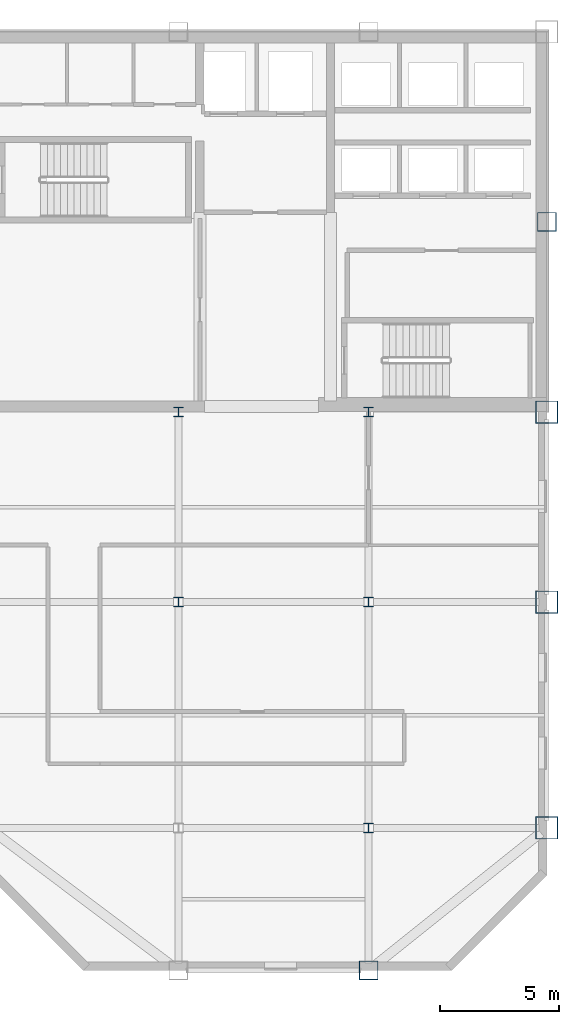
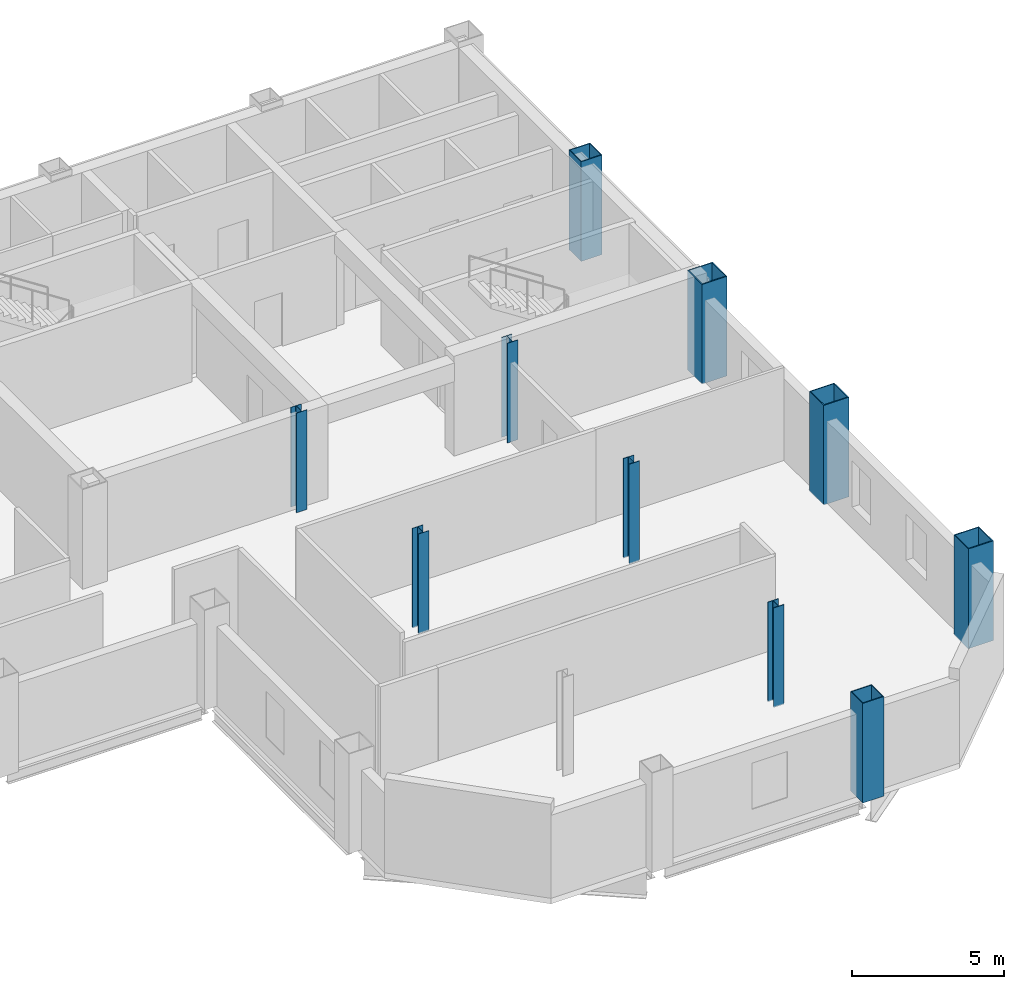
# One storey, part 2 of 10: 10 columns.
"""IFC4 building model written with IfcOpenShell, lengths in metres."""

from ifc_helpers import new_model, si_unit, direction, frame, origin, origin_2d, place, context, subcontext, project, spatial, hollow_rectangle, i_section, extrude, material, material_profile, profile_set, type_object, element, save


model = new_model("IFC4")

# Units and contexts
model_context = context("Model", 3, precision=1e-05, world=origin(), true_north=direction((0.0, 1.0)))
body_context = subcontext(model_context, "Body", "Model", "MODEL_VIEW")
ifc_project = project(units=[si_unit("LENGTHUNIT", "METRE"), si_unit("AREAUNIT", "SQUARE_METRE"), si_unit("VOLUMEUNIT", "CUBIC_METRE"), si_unit("PLANEANGLEUNIT", "RADIAN"), si_unit("MASSUNIT", "GRAM", prefix="KILO")], contexts=[model_context])

# Site, building, storey
site_placement = place(None, origin())
site = spatial("IfcSite", under=ifc_project, at=site_placement, CompositionType="ELEMENT")
building_placement = place(site_placement, origin())
building = spatial("IfcBuilding", under=site, at=building_placement, Name="Qianrong Seaharbour Tower", CompositionType="ELEMENT")
storey_placement = place(building_placement, frame((0.0, 0.0, 253.800048828125)))
storey = spatial("IfcBuildingStorey", under=building, at=storey_placement, Name="L61", CompositionType="ELEMENT", Elevation=253.800048828125)

# Columns
ifc_material = material(Name="Structural steel SN490B", Category="steel")
ifc_material_profile_1 = material_profile(ifc_material, hollow_rectangle(XDim=0.949951171875, YDim=0.949951171875, WallThickness=0.035888671875, at=origin_2d()), Name="BOX950x950x36")
ifc_profile_set_1 = profile_set([ifc_material_profile_1], Name="Structural steel SN490B")
column_type_1 = type_object("IfcColumnType", Name="COL-CFT-950", PredefinedType="COLUMN", material=ifc_profile_set_1)
for number, where, z_axis, x_axis, name in (
    (1, (64.0, 18.5, 0.0), (0.0, 0.0, 1.0), (1.0, 0.0, 0.0), "L61 Column MC-4 at G9/GD"),
    (2, (64.0, 28.0, 0.0), (0.0, 0.0, 1.0), (1.0, 0.0, 0.0), "L61 Column MC-4 at G9/GE"),
    (3, (64.0, 36.0, 0.0), (0.0, 0.0, 1.0), (1.0, 0.0, 0.0), "L61 Column MC-4 at G9/GF"),
):
    element("IfcColumn", number, at=place(storey_placement, frame(where, z_axis=z_axis, x_axis=x_axis)), inside=storey, type_object=column_type_1, Name=name, PredefinedType="COLUMN", context=body_context, shape_type="SweptSolid", body=[
        extrude(hollow_rectangle(XDim=0.949951171875, YDim=0.949951171875, WallThickness=0.035888671875, at=origin_2d()), origin(), (0.0, 0.0, 1.0), 4.0),
    ])
ifc_material_profile_2 = material_profile(ifc_material, i_section(OverallWidth=0.39990234375, OverallDepth=0.39990234375, WebThickness=0.012939453125, FlangeThickness=0.02099609375, FilletRadius=0.02197265625, at=origin_2d()), Name="H400x400x13x21")
ifc_profile_set_2 = profile_set([ifc_material_profile_2], Name="Structural steel SN490B")
column_type_2 = type_object("IfcColumnType", Name="COL-INT-H400", PredefinedType="COLUMN", material=ifc_profile_set_2)
for number, where, z_axis, x_axis, name in (
    (4, (48.5, 28.0, 0.0), (0.0, 0.0, 1.0), (1.0, 0.0, 0.0), "L61 Column IC-3 at G7/GE"),
    (5, (48.5, 36.0, 0.0), (0.0, 0.0, 1.0), (1.0, 0.0, 0.0), "L61 Column IC-3 at G7/GF"),
    (6, (56.5, 18.5, 0.0), (0.0, 0.0, 1.0), (1.0, 0.0, 0.0), "L61 Column IC-3 at G8/GD"),
    (7, (56.5, 28.0, 0.0), (0.0, 0.0, 1.0), (1.0, 0.0, 0.0), "L61 Column IC-3 at G8/GE"),
    (8, (56.5, 36.0, 0.0), (0.0, 0.0, 1.0), (1.0, 0.0, 0.0), "L61 Column IC-3 at G8/GF"),
):
    element("IfcColumn", number, at=place(storey_placement, frame(where, z_axis=z_axis, x_axis=x_axis)), inside=storey, type_object=column_type_2, Name=name, PredefinedType="COLUMN", context=body_context, shape_type="SweptSolid", body=[
        extrude(i_section(OverallWidth=0.39990234375, OverallDepth=0.39990234375, WebThickness=0.012939453125, FlangeThickness=0.02099609375, FilletRadius=0.02197265625, at=origin_2d()), origin(), (0.0, 0.0, 1.0), 4.0),
    ])
ifc_material_profile_3 = material_profile(ifc_material, hollow_rectangle(XDim=0.800048828125, YDim=0.800048828125, WallThickness=0.031982421875, at=origin_2d()), Name="BOX800x800x32")
ifc_profile_set_3 = profile_set([ifc_material_profile_3], Name="Structural steel SN490B")
column_type_3 = type_object("IfcColumnType", Name="COL-PER-800", PredefinedType="COLUMN", material=ifc_profile_set_3)
for number, where, z_axis, x_axis, name in (
    (9, (56.5, 12.5, 0.0), (0.0, 0.0, 1.0), (1.0, 0.0, 0.0), "L61 Column PC-3 at G8/GC"),
    (10, (64.0, 44.0, 0.0), (0.0, 0.0, 1.0), (1.0, 0.0, 0.0), "L61 Column PC-3 at G9/GG"),
):
    element("IfcColumn", number, at=place(storey_placement, frame(where, z_axis=z_axis, x_axis=x_axis)), inside=storey, type_object=column_type_3, Name=name, PredefinedType="COLUMN", context=body_context, shape_type="SweptSolid", body=[
        extrude(hollow_rectangle(XDim=0.800048828125, YDim=0.800048828125, WallThickness=0.031982421875, at=origin_2d()), origin(), (0.0, 0.0, 1.0), 4.0),
    ])

save(model, "model.ifc")
